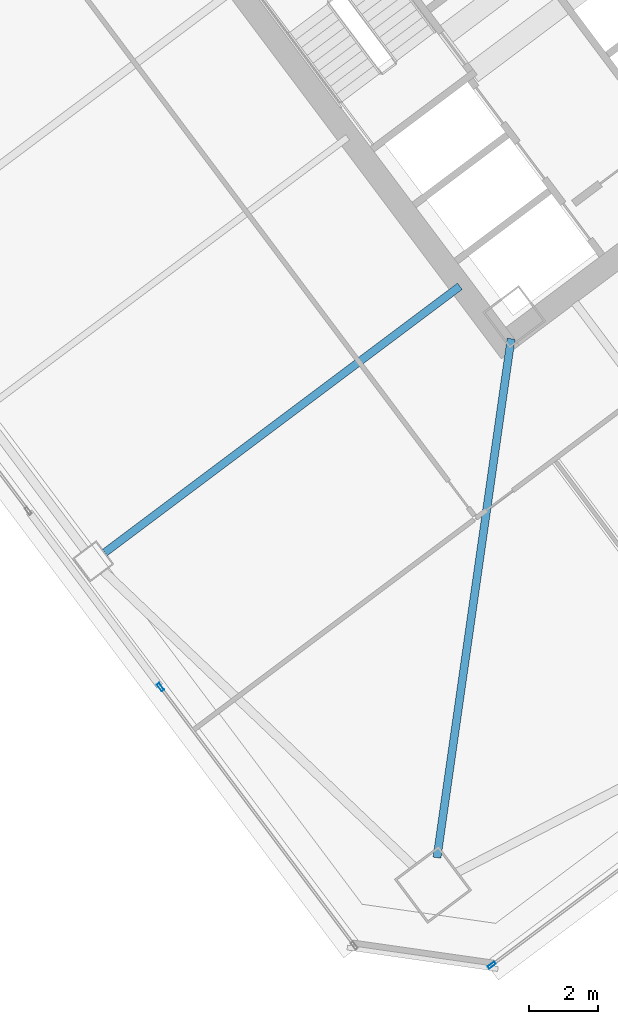
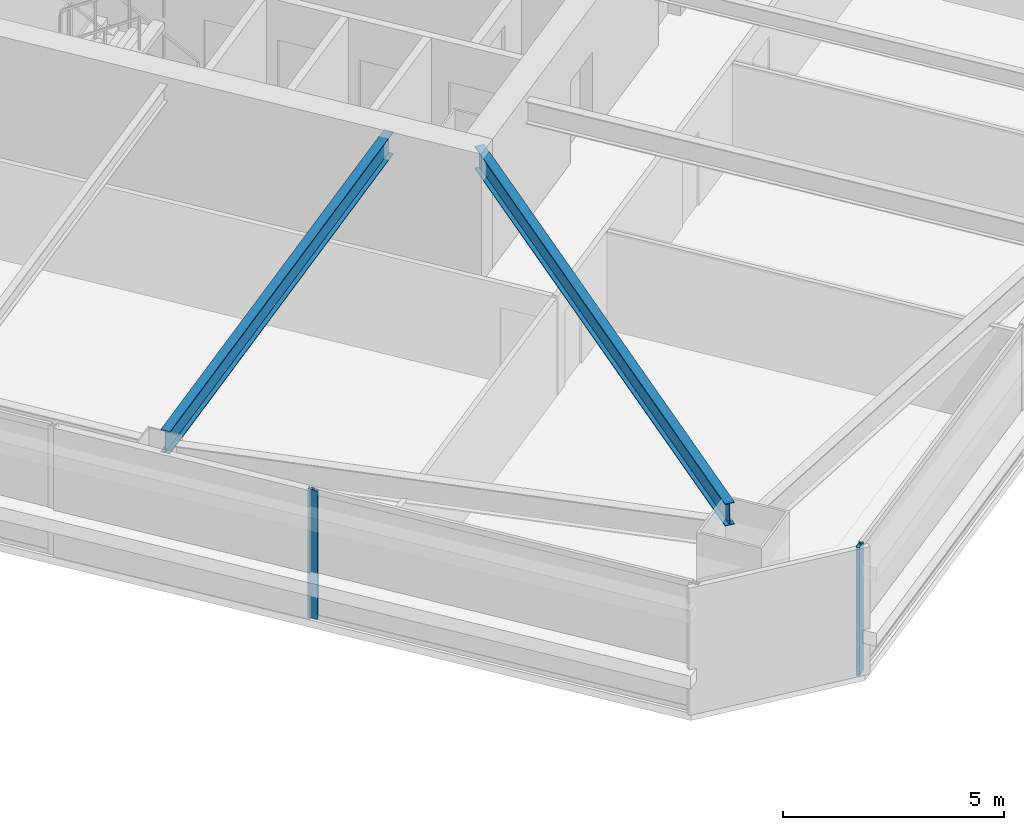
# One storey, part 18 of 46: 2 beams, 2 members, 2 elements without a shape of their own.
"""IFC4 building model written with IfcOpenShell, lengths in metres."""

from ifc_helpers import new_model, si_unit, direction, frame, origin, origin_2d, place, context, subcontext, project, spatial, hollow_rectangle, i_section, extrude, material, material_profile, profile_set, type_object, element, aggregate, save


model = new_model("IFC4")

# Units and contexts
model_context = context("Model", 3, precision=1e-05, world=origin(), true_north=direction((0.0, 1.0)))
body_context = subcontext(model_context, "Body", "Model", "MODEL_VIEW")
ifc_project = project(units=[si_unit("LENGTHUNIT", "METRE"), si_unit("AREAUNIT", "SQUARE_METRE"), si_unit("VOLUMEUNIT", "CUBIC_METRE"), si_unit("PLANEANGLEUNIT", "RADIAN"), si_unit("MASSUNIT", "GRAM", prefix="KILO")], contexts=[model_context])

# Site, building, storey
site_placement = place(None, origin())
site = spatial("IfcSite", under=ifc_project, at=site_placement, CompositionType="ELEMENT")
building_placement = place(site_placement, origin())
building = spatial("IfcBuilding", under=site, at=building_placement, Name="Tashvorn Skyway Center", CompositionType="ELEMENT")
storey_placement = place(building_placement, frame((0.0, 0.0, 38.800048828125)))
storey = spatial("IfcBuildingStorey", under=building, at=storey_placement, Name="L09", CompositionType="ELEMENT", Elevation=38.800048828125)

# Beams
ifc_material_1 = material(Name="Steel ASTM A992 Grade 50", Category="steel")
ifc_material_profile_1 = material_profile(ifc_material_1, i_section(OverallWidth=0.22998046875, OverallDepth=0.616943359375, WebThickness=0.01318359375, FlangeThickness=0.022216796875, at=origin_2d()), Name="W24X94")
ifc_profile_set_1 = profile_set([ifc_material_profile_1], Name="Steel ASTM A992 Grade 50")
beam_type = type_object("IfcBeamType", Name="BM-BEAM-W24X94", PredefinedType="BEAM", material=ifc_profile_set_1)
beam_1_placement = place(storey_placement, frame((110.3525390625, 6.467041015625, 3.04150390625), z_axis=(0.141414599991, 0.989950458816, 0.0), x_axis=(-0.989950458816, 0.141414599991, 0.0)))
element("IfcBeam", 1, at=beam_1_placement, inside=storey, type_object=beam_type, Name="Tower 2 L09 Primary Floor Girder MC-SW", PredefinedType="BEAM", context=body_context, shape_type="SweptSolid", body=[
    extrude(i_section(OverallWidth=0.22998046875, OverallDepth=0.616943359375, WebThickness=0.01318359375, FlangeThickness=0.022216796875, at=origin_2d()), origin(), (0.0, 0.0, 1.0), 15.177001953125),
])
beam_2_placement = place(storey_placement, frame((100.736083984375, 15.302001953125, 3.04150390625), z_axis=(0.800002279907, 0.599996960112, 0.0), x_axis=(-0.599996960112, 0.800002279907, 0.0)))
element("IfcBeam", 2, at=beam_2_placement, inside=storey, type_object=beam_type, Name="Tower 2 L09 Primary Floor Girder FC-W2", PredefinedType="BEAM", context=body_context, shape_type="SweptSolid", body=[
    extrude(i_section(OverallWidth=0.22998046875, OverallDepth=0.616943359375, WebThickness=0.01318359375, FlangeThickness=0.022216796875, at=origin_2d()), origin(), (0.0, 0.0, 1.0), 12.85009765625),
])

# Curtain wall, member
ifc_material_2 = material(Name="Thermally broken bronze-anodized aluminium 6063-T6", Category="aluminium")
curtain_wall_type = type_object("IfcCurtainWallType", Name="CW-CW-Z1", PredefinedType="NOTDEFINED", material=ifc_material_2)
curtain_wall_1_placement = place(storey_placement, origin())
curtain_wall_1 = element("IfcCurtainWall", 3, at=curtain_wall_1_placement, inside=storey, type_object=curtain_wall_type, Name="Tower 2 L09 South Unitised Curtain Wall Glazing Group 3", PredefinedType="NOTDEFINED")
ifc_material_profile_2 = material_profile(ifc_material_2, hollow_rectangle(XDim=0.0849609375, YDim=0.239990234375, WallThickness=0.0048828125, at=origin_2d()), Name="ALU-MULL-85x240")
ifc_profile_set_2 = profile_set([ifc_material_profile_2], Name="Thermally broken bronze-anodized aluminium 6063-T6")
member_type = type_object("IfcMemberType", Name="CWM-CW-Z1", PredefinedType="MULLION", material=ifc_profile_set_2)
member_1_placement = place(storey_placement, frame((111.93798828125, 3.353515625, 0.0), z_axis=(0.0, 0.0, 1.0), x_axis=(0.600000000002, -0.799999999998, 0.0)))
member_1 = element("IfcMember", 4, at=member_1_placement, type_object=member_type, Name="CW-Z1 mullion 2", PredefinedType="MULLION", context=body_context, shape_type="SweptSolid", body=[
    extrude(hollow_rectangle(XDim=0.0849609375, YDim=0.239990234375, WallThickness=0.0048828125, at=origin_2d()), origin(), (0.0, 0.0, 1.0), 3.550048828125),
])
aggregate(curtain_wall_1, [member_1])

curtain_wall_2_placement = place(storey_placement, origin())
curtain_wall_2 = element("IfcCurtainWall", 5, at=curtain_wall_2_placement, inside=storey, type_object=curtain_wall_type, Name="Tower 2 L09 West Unitised Curtain Wall Glazing Group 1", PredefinedType="NOTDEFINED")
member_2_placement = place(storey_placement, frame((102.345458984375, 11.406005859375, 0.0), z_axis=(0.0, 0.0, 1.0), x_axis=(-0.799999999998, -0.600000000002, 0.0)))
member_2 = element("IfcMember", 6, at=member_2_placement, type_object=member_type, Name="CW-Z1 mullion 2", PredefinedType="MULLION", context=body_context, shape_type="SweptSolid", body=[
    extrude(hollow_rectangle(XDim=0.0849609375, YDim=0.239990234375, WallThickness=0.0048828125, at=origin_2d()), origin(), (0.0, 0.0, 1.0), 3.550048828125),
])
aggregate(curtain_wall_2, [member_2])

save(model, "model.ifc")
